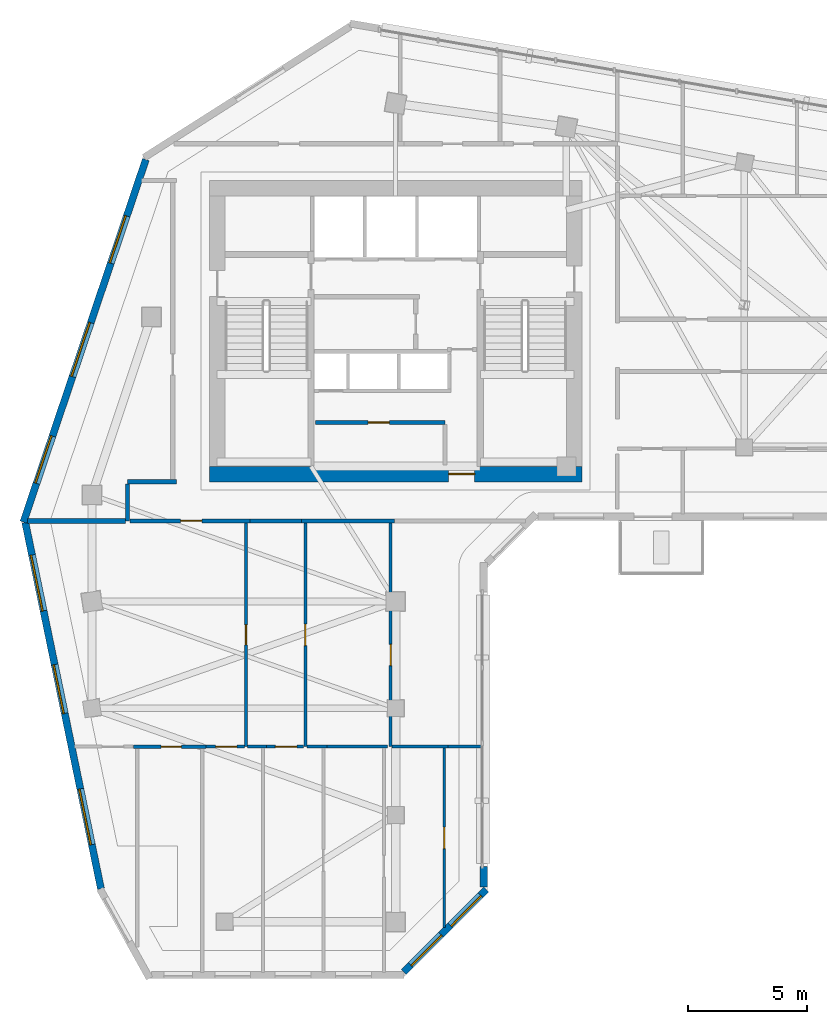
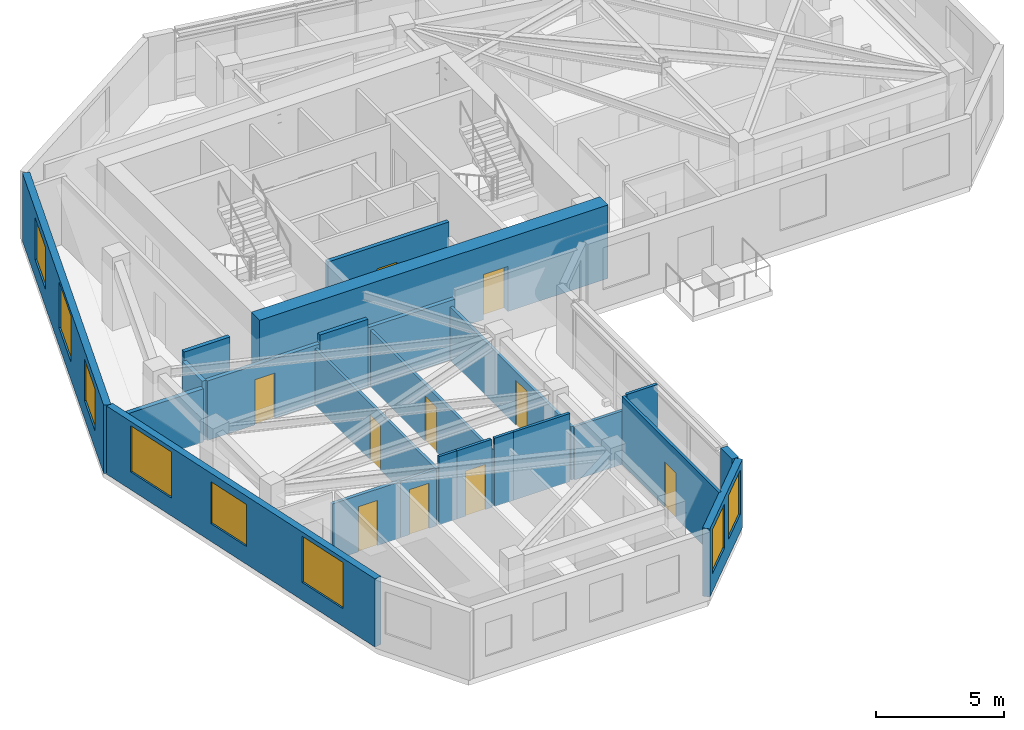
# One storey, part 5 of 11: 24 walls, 10 doors, 8 windows, 18 openings.
"""IFC4 building model written with IfcOpenShell, lengths in metres."""

from ifc_helpers import new_model, si_unit, direction, frame, frame_2d, origin, place, context, subcontext, project, spatial, rectangle, extrude, source, transform, mapped, material, layer, layer_set, type_object, element, fill, save


model = new_model("IFC4")

# Units and contexts
model_context = context("Model", 3, precision=1e-05, world=origin(), true_north=direction((0.0, 1.0)))
body_context = subcontext(model_context, "Body", "Model", "MODEL_VIEW")
ifc_project = project(units=[si_unit("LENGTHUNIT", "METRE"), si_unit("AREAUNIT", "SQUARE_METRE"), si_unit("VOLUMEUNIT", "CUBIC_METRE"), si_unit("PLANEANGLEUNIT", "RADIAN"), si_unit("MASSUNIT", "GRAM", prefix="KILO")], contexts=[model_context])

# Site, building, storey
site_placement = place(None, origin())
site = spatial("IfcSite", under=ifc_project, at=site_placement, CompositionType="ELEMENT")
building_placement = place(site_placement, origin())
building = spatial("IfcBuilding", under=site, at=building_placement, Name="Calvemar Wedge Station Tower", CompositionType="ELEMENT")
storey_placement = place(building_placement, frame((0.0, 0.0, 183.39990234375)))
storey = spatial("IfcBuildingStorey", under=building, at=storey_placement, Name="L45", CompositionType="ELEMENT", Elevation=183.39990234375)

# Wall, opening, door
ifc_material_1 = material(Name="Concrete C60", Category="concrete")
ifc_layer_1 = layer(ifc_material_1, 0.64990234375)
ifc_layer_set_1 = layer_set([ifc_layer_1], Name="Concrete C60")
wall_type_1 = type_object("IfcWallType", Name="SW-CORE-650", PredefinedType="SHEAR", material=ifc_layer_set_1)
wall_1_placement = place(storey_placement, frame((15.949951171875, 33.875, 0.0), z_axis=(0.0, 0.0, 1.0), x_axis=(1.0, 0.0, 0.0)))
wall_1 = element("IfcWall", 1, at=wall_1_placement, inside=storey, type_object=wall_type_1, Name="Storey L45 Core Shear Wall S", PredefinedType="SHEAR", context=body_context, shape_type="SweptSolid", body=[
    extrude(rectangle(XDim=15.699951171875, YDim=0.64990234375, at=frame_2d((7.85009765625, 0.0))), origin(), (0.0, 0.0, 1.0), 3.5),
])
shared_shape_1 = source(origin(), body_context, "Body", "SweptSolid", [
    extrude(rectangle(XDim=1.10009765625, YDim=2.14990234375, at=frame_2d((0.550048828125, 1.074951171875))), frame((0.0, 0.3349609375, 0.0), z_axis=(0.0, -1.0, 0.0), x_axis=(1.0, 0.0, 0.0)), (0.0, 0.0, 1.0), 0.669921875),
])
opening_1_placement = place(wall_1_placement, frame((10.080078125, 0.0, 0.0)))
opening_1 = element("IfcOpeningElement", 2, at=opening_1_placement, cuts=wall_1, Name="Opening FD-90", PredefinedType="OPENING", context=body_context, shape_type="MappedRepresentation", body=[
    mapped(shared_shape_1, transform((0.0, 0.0, 0.0), scale=1.0)),
])
ifc_material_2 = material(Name="Galvanized fire-rated steel door leaf P-90", Category="steel")
door_type_1 = type_object("IfcDoorType", Name="DR-FD90-1100", OperationType="NOTDEFINED", PredefinedType="DOOR", material=ifc_material_2)
shared_shape_2 = source(origin(), body_context, "Body", "SweptSolid", [
    extrude(rectangle(XDim=1.10009765625, YDim=2.14990234375, at=frame_2d((0.550048828125, 1.074951171875))), frame((0.0, 0.02490234375, 0.0), z_axis=(0.0, -1.0, 0.0), x_axis=(1.0, 0.0, 0.0)), (0.0, 0.0, 1.0), 0.050048828125),
])
door_1_placement = place(opening_1_placement, origin())
door_1 = element("IfcDoor", 3, at=door_1_placement, inside=storey, type_object=door_type_1, Name="L45 Passenger Lift Lobby Door", OperationType="SINGLE_SWING_LEFT", OverallHeight=2.14990234375, OverallWidth=1.10009765625, PredefinedType="DOOR", context=body_context, shape_type="MappedRepresentation", body=[
    mapped(shared_shape_2, transform((0.0, 0.0, 0.0), scale=1.0)),
])
fill(opening_1, door_1)

ifc_material_3 = material(Name="Double-stud fire-rated corridor partition")
ifc_layer_2 = layer(ifc_material_3, 0.179931640625)
ifc_layer_set_2 = layer_set([ifc_layer_2], Name="Double-stud fire-rated corridor partition")
wall_type_2 = type_object("IfcWallType", Name="W-CORR-180", PredefinedType="PARTITIONING", material=ifc_layer_set_2)
wall_2_placement = place(storey_placement, frame((20.419921875, 36.050048828125, 0.0), z_axis=(0.0, 0.0, 1.0), x_axis=(1.0, 0.0, 0.0)))
wall_2 = element("IfcWall", 4, at=wall_2_placement, inside=storey, type_object=wall_type_2, Name="Storey L45 Interior Partition WL-L45-004", PredefinedType="PARTITIONING", context=body_context, shape_type="SweptSolid", body=[
    extrude(rectangle(XDim=5.4599609375, YDim=0.179931640625, at=frame_2d((2.72998046875, 0.0))), origin(), (0.0, 0.0, 1.0), 3.25),
])
shared_shape_3 = source(origin(), body_context, "Body", "SweptSolid", [
    extrude(rectangle(XDim=0.89990234375, YDim=2.14990234375, at=frame_2d((0.449951171875, 1.074951171875))), frame((0.0, 0.10009765625, 0.0), z_axis=(0.0, -1.0, 0.0), x_axis=(1.0, 0.0, 0.0)), (0.0, 0.0, 1.0), 0.199951171875),
])
opening_2_placement = place(wall_2_placement, frame((2.219482421875, 0.0, 0.0)))
opening_2 = element("IfcOpeningElement", 5, at=opening_2_placement, cuts=wall_2, Name="Opening FD-60", PredefinedType="OPENING", context=body_context, shape_type="MappedRepresentation", body=[
    mapped(shared_shape_3, transform((0.0, 0.0, 0.0), scale=1.0)),
])
ifc_material_4 = material(Name="Fire-rated acoustic timber-core entrance door EI 60", Category="wood")
door_type_2 = type_object("IfcDoorType", Name="DR-FD60-900", OperationType="NOTDEFINED", PredefinedType="DOOR", material=ifc_material_4)
shared_shape_4 = source(origin(), body_context, "Body", "SweptSolid", [
    extrude(rectangle(XDim=0.89990234375, YDim=2.14990234375, at=frame_2d((0.449951171875, 1.074951171875))), frame((0.0, 0.02490234375, 0.0), z_axis=(0.0, -1.0, 0.0), x_axis=(1.0, 0.0, 0.0)), (0.0, 0.0, 1.0), 0.050048828125),
])
door_2_placement = place(opening_2_placement, origin())
door_2 = element("IfcDoor", 6, at=door_2_placement, inside=storey, type_object=door_type_2, Name="L45 Parcel and Resident Store Door", OperationType="SINGLE_SWING_RIGHT", OverallHeight=2.14990234375, OverallWidth=0.89990234375, PredefinedType="DOOR", context=body_context, shape_type="MappedRepresentation", body=[
    mapped(shared_shape_4, transform((0.0, 0.0, 0.0), scale=1.0)),
])
fill(opening_2, door_2)

# Walls
wall_3_placement = place(storey_placement, frame((12.5, 33.550048828125, 0.0), z_axis=(0.0, 0.0, 1.0), x_axis=(1.0, 0.0, 0.0)))
element("IfcWall", 7, at=wall_3_placement, inside=storey, type_object=wall_type_2, Name="Storey L45 Interior Partition WL-L45-006", PredefinedType="PARTITIONING", context=body_context, shape_type="SweptSolid", body=[
    extrude(rectangle(XDim=2.06005859375, YDim=0.179931640625, at=frame_2d((1.030029296875, 0.0))), origin(), (0.0, 0.0, 1.0), 3.25),
])
wall_4_placement = place(storey_placement, frame((12.5, 31.89990234375, 0.0), z_axis=(0.0, 0.0, 1.0), x_axis=(0.0, 1.0, 0.0)))
element("IfcWall", 8, at=wall_4_placement, inside=storey, type_object=wall_type_2, Name="Storey L45 Interior Partition WL-L45-007", PredefinedType="PARTITIONING", context=body_context, shape_type="SweptSolid", body=[
    extrude(rectangle(XDim=1.55615234375, YDim=0.179931640625, at=frame_2d((0.778076171875, 0.0))), origin(), (0.0, 0.0, 1.0), 2.835205078125),
])
wall_5_placement = place(storey_placement, frame((23.7509765625, 31.89990234375, 0.0), z_axis=(0.0, 0.0, 1.0), x_axis=(-1.0, 0.0, 0.0)))
element("IfcWall", 9, at=wall_5_placement, inside=storey, type_object=wall_type_2, Name="Storey L45 Interior Partition WL-L45-008", PredefinedType="PARTITIONING", context=body_context, shape_type="SweptSolid", body=[
    extrude(rectangle(XDim=3.919921875, YDim=0.179931640625, at=frame_2d((1.9599609375, 0.0))), origin(), (0.0, 0.0, 1.0), 2.835205078125),
])

# Wall, opening, door
wall_6_placement = place(storey_placement, frame((17.65087890625, 31.89990234375, 0.0), z_axis=(0.0, 0.0, 1.0), x_axis=(-1.0, 0.0, 0.0)))
wall_6 = element("IfcWall", 10, at=wall_6_placement, inside=storey, type_object=wall_type_2, Name="Storey L45 Interior Partition WL-L45-010", PredefinedType="PARTITIONING", context=body_context, shape_type="SweptSolid", body=[
    extrude(rectangle(XDim=5.056884765625, YDim=0.179931640625, at=frame_2d((2.5283203125, 0.0))), origin(), (0.0, 0.0, 1.0), 2.835205078125),
])
opening_3_placement = place(wall_6_placement, frame((2.0166015625, 0.0, 0.0)))
opening_3 = element("IfcOpeningElement", 11, at=opening_3_placement, cuts=wall_6, Name="Opening FD-60", PredefinedType="OPENING", context=body_context, shape_type="MappedRepresentation", body=[
    mapped(shared_shape_3, transform((0.0, 0.0, 0.0), scale=1.0)),
])
door_3_placement = place(opening_3_placement, origin())
door_3 = element("IfcDoor", 12, at=door_3_placement, inside=storey, type_object=door_type_2, Name="L45 Living Dining Door", OperationType="SINGLE_SWING_RIGHT", OverallHeight=2.14990234375, OverallWidth=0.89990234375, PredefinedType="DOOR", context=body_context, shape_type="MappedRepresentation", body=[
    mapped(shared_shape_4, transform((0.0, 0.0, 0.0), scale=1.0)),
])
fill(opening_3, door_3)

# Walls
wall_7_placement = place(storey_placement, frame((19.8291015625, 31.89990234375, 0.0), z_axis=(0.0, 0.0, 1.0), x_axis=(-1.0, 0.0, 0.0)))
element("IfcWall", 13, at=wall_7_placement, inside=storey, type_object=wall_type_2, Name="Storey L45 Interior Partition WL-L45-011", PredefinedType="PARTITIONING", context=body_context, shape_type="SweptSolid", body=[
    extrude(rectangle(XDim=2.176025390625, YDim=0.179931640625, at=frame_2d((1.087890625, 0.0))), origin(), (0.0, 0.0, 1.0), 3.25),
])
ifc_material_5 = material(Name="Twin-stud fire-rated inter-tenancy wall")
ifc_layer_3 = layer(ifc_material_5, 0.199951171875)
ifc_layer_set_3 = layer_set([ifc_layer_3], Name="Twin-stud fire-rated inter-tenancy wall")
wall_type_3 = type_object("IfcWallType", Name="W-DEMISE-200", PredefinedType="PARTITIONING", material=ifc_layer_set_3)
wall_8_placement = place(storey_placement, frame((12.406005859375, 31.89990234375, 0.0), z_axis=(0.0, 0.0, 1.0), x_axis=(-1.0, 0.0, 0.0)))
element("IfcWall", 14, at=wall_8_placement, inside=storey, type_object=wall_type_3, Name="Storey L45 Interior Partition WL-L45-021", PredefinedType="PARTITIONING", context=body_context, shape_type="SweptSolid", body=[
    extrude(rectangle(XDim=4.11474609375, YDim=0.199951171875, at=frame_2d((2.057373046875, 0.0))), origin(), (0.0, 0.0, 1.0), 2.5419921875),
])

# Wall, openings, windows
ifc_material_6 = material(Name="Precast concrete C45", Category="concrete")
ifc_layer_4 = layer(ifc_material_6, 0.300048828125)
ifc_layer_set_4 = layer_set([ifc_layer_4], Name="Precast concrete C45")
wall_type_4 = type_object("IfcWallType", Name="W-EXT-GFRC-300", PredefinedType="SOLIDWALL", material=ifc_layer_set_4)
wall_9_placement = place(storey_placement, frame((24.139892578125, 12.887939453125, 0.0), z_axis=(0.0, 0.0, 1.0), x_axis=(0.707106781187, 0.707106781187, 0.0)))
wall_9 = element("IfcWall", 15, at=wall_9_placement, inside=storey, type_object=wall_type_4, Name="Storey L45 Bronze GFRC Exterior Wall 3", PredefinedType="SOLIDWALL", context=body_context, shape_type="SweptSolid", body=[
    extrude(rectangle(XDim=4.921875, YDim=0.300048828125, at=frame_2d((2.4609375, 0.0))), origin(), (0.0, 0.0, 1.0), 3.25),
])
shared_shape_5 = source(origin(), body_context, "Body", "SweptSolid", [
    extrude(rectangle(XDim=1.800048828125, YDim=2.10009765625, at=frame_2d((0.89990234375, 1.050048828125))), frame((0.0, 0.16015625, 0.0), z_axis=(0.0, -1.0, 0.0), x_axis=(1.0, 0.0, 0.0)), (0.0, 0.0, 1.0), 0.320068359375),
])
opening_4_placement = place(wall_9_placement, frame((0.4169921875, 0.0, 0.85009765625)))
opening_4 = element("IfcOpeningElement", 16, at=opening_4_placement, cuts=wall_9, Name="Opening W2", PredefinedType="OPENING", context=body_context, shape_type="MappedRepresentation", body=[
    mapped(shared_shape_5, transform((0.0, 0.0, 0.0), scale=1.0)),
])
opening_5_placement = place(wall_9_placement, frame((2.778076171875, 0.0, 0.85009765625)))
opening_5 = element("IfcOpeningElement", 17, at=opening_5_placement, cuts=wall_9, Name="Opening W2", PredefinedType="OPENING", context=body_context, shape_type="MappedRepresentation", body=[
    mapped(shared_shape_5, transform((0.0, 0.0, 0.0), scale=1.0)),
])
ifc_material_7 = material(Name="Low-E laminated insulated glass", Category="glass")
window_type_1 = type_object("IfcWindowType", Name="WIN-EXT-2", PartitioningType="SINGLE_PANEL", PredefinedType="WINDOW", material=ifc_material_7)
shared_shape_6 = source(origin(), body_context, "Body", "SweptSolid", [
    extrude(rectangle(XDim=1.800048828125, YDim=2.10009765625, at=frame_2d((0.89990234375, 1.050048828125))), frame((0.0, -0.014892578125, 0.0), z_axis=(0.0, -1.0, 0.0), x_axis=(1.0, 0.0, 0.0)), (0.0, 0.0, 1.0), 0.06005859375),
])
window_1_placement = place(opening_4_placement, origin())
window_1 = element("IfcWindow", 18, at=window_1_placement, inside=storey, type_object=window_type_1, Name="Storey L45 Recessed Window 3.1", OverallHeight=2.10009765625, OverallWidth=1.800048828125, PartitioningType="SINGLE_PANEL", PredefinedType="WINDOW", context=body_context, shape_type="MappedRepresentation", body=[
    mapped(shared_shape_6, transform((0.0, 0.0, 0.0), scale=1.0)),
])
fill(opening_4, window_1)
window_2_placement = place(opening_5_placement, origin())
window_2 = element("IfcWindow", 19, at=window_2_placement, inside=storey, type_object=window_type_1, Name="Storey L45 Recessed Window 3.2", OverallHeight=2.10009765625, OverallWidth=1.800048828125, PartitioningType="SINGLE_PANEL", PredefinedType="WINDOW", context=body_context, shape_type="MappedRepresentation", body=[
    mapped(shared_shape_6, transform((0.0, 0.0, 0.0), scale=1.0)),
])
fill(opening_5, window_2)

# Wall
wall_10_placement = place(storey_placement, frame((27.513916015625, 16.457275390625, 0.0), z_axis=(0.0, 0.0, 1.0), x_axis=(0.0, 1.0, 0.0)))
element("IfcWall", 20, at=wall_10_placement, inside=storey, type_object=wall_type_4, Name="Storey L45 Bronze GFRC Corner Pier 4A", PredefinedType="SOLIDWALL", context=body_context, shape_type="SweptSolid", body=[
    extrude(rectangle(XDim=0.88232421875, YDim=0.300048828125, at=frame_2d((0.441162109375, 0.0))), origin(), (0.0, 0.0, 1.0), 3.25),
])

# Wall, openings, windows
wall_11_placement = place(storey_placement, frame((13.2685546875, 47.1337890625, 0.0), z_axis=(0.0, 0.0, 1.0), x_axis=(-0.319920776449, -0.947444297464, 0.0)))
wall_11 = element("IfcWall", 21, at=wall_11_placement, inside=storey, type_object=wall_type_4, Name="Storey L45 Bronze GFRC Exterior Wall 12", PredefinedType="SOLIDWALL", context=body_context, shape_type="SweptSolid", body=[
    extrude(rectangle(XDim=16.13330078125, YDim=0.300048828125, at=frame_2d((8.066650390625, 0.0))), origin(), (0.0, 0.0, 1.0), 3.25),
])
shared_shape_7 = source(origin(), body_context, "Body", "SweptSolid", [
    extrude(rectangle(XDim=2.10009765625, YDim=2.0, at=frame_2d((1.050048828125, 1.0))), frame((0.0, 0.16015625, 0.0), z_axis=(0.0, -1.0, 0.0), x_axis=(1.0, 0.0, 0.0)), (0.0, 0.0, 1.0), 0.320068359375),
])
opening_6_placement = place(wall_11_placement, frame((2.512939453125, 0.0, 0.85009765625)))
opening_6 = element("IfcOpeningElement", 22, at=opening_6_placement, cuts=wall_11, Name="Opening W4", PredefinedType="OPENING", context=body_context, shape_type="MappedRepresentation", body=[
    mapped(shared_shape_7, transform((0.0, 0.0, 0.0), scale=1.0)),
])
shared_shape_8 = source(origin(), body_context, "Body", "SweptSolid", [
    extrude(rectangle(XDim=2.39990234375, YDim=2.199951171875, at=frame_2d((1.199951171875, 1.10009765625))), frame((0.0, 0.16015625, 0.0), z_axis=(0.0, -1.0, 0.0), x_axis=(1.0, 0.0, 0.0)), (0.0, 0.0, 1.0), 0.320068359375),
])
opening_7_placement = place(wall_11_placement, frame((7.260009765625, 0.0, 0.85009765625)))
opening_7 = element("IfcOpeningElement", 23, at=opening_7_placement, cuts=wall_11, Name="Opening W1", PredefinedType="OPENING", context=body_context, shape_type="MappedRepresentation", body=[
    mapped(shared_shape_8, transform((0.0, 0.0, 0.0), scale=1.0)),
])
opening_8_placement = place(wall_11_placement, frame((12.306884765625, 0.0, 0.85009765625)))
opening_8 = element("IfcOpeningElement", 24, at=opening_8_placement, cuts=wall_11, Name="Opening W4", PredefinedType="OPENING", context=body_context, shape_type="MappedRepresentation", body=[
    mapped(shared_shape_7, transform((0.0, 0.0, 0.0), scale=1.0)),
])
window_type_2 = type_object("IfcWindowType", Name="WIN-EXT-4", PartitioningType="SINGLE_PANEL", PredefinedType="WINDOW", material=ifc_material_7)
shared_shape_9 = source(origin(), body_context, "Body", "SweptSolid", [
    extrude(rectangle(XDim=2.10009765625, YDim=2.0, at=frame_2d((1.050048828125, 1.0))), frame((0.0, -0.014892578125, 0.0), z_axis=(0.0, -1.0, 0.0), x_axis=(1.0, 0.0, 0.0)), (0.0, 0.0, 1.0), 0.06005859375),
])
window_3_placement = place(opening_6_placement, origin())
window_3 = element("IfcWindow", 25, at=window_3_placement, inside=storey, type_object=window_type_2, Name="Storey L45 Recessed Window 12.1", OverallHeight=2.0, OverallWidth=2.10009765625, PartitioningType="SINGLE_PANEL", PredefinedType="WINDOW", context=body_context, shape_type="MappedRepresentation", body=[
    mapped(shared_shape_9, transform((0.0, 0.0, 0.0), scale=1.0)),
])
fill(opening_6, window_3)
window_4_placement = place(opening_8_placement, origin())
window_4 = element("IfcWindow", 26, at=window_4_placement, inside=storey, type_object=window_type_2, Name="Storey L45 Recessed Window 12.3", OverallHeight=2.0, OverallWidth=2.10009765625, PartitioningType="SINGLE_PANEL", PredefinedType="WINDOW", context=body_context, shape_type="MappedRepresentation", body=[
    mapped(shared_shape_9, transform((0.0, 0.0, 0.0), scale=1.0)),
])
fill(opening_8, window_4)
window_type_3 = type_object("IfcWindowType", Name="WIN-EXT-1", PartitioningType="SINGLE_PANEL", PredefinedType="WINDOW", material=ifc_material_7)
shared_shape_10 = source(origin(), body_context, "Body", "SweptSolid", [
    extrude(rectangle(XDim=2.39990234375, YDim=2.199951171875, at=frame_2d((1.199951171875, 1.10009765625))), frame((0.0, -0.014892578125, 0.0), z_axis=(0.0, -1.0, 0.0), x_axis=(1.0, 0.0, 0.0)), (0.0, 0.0, 1.0), 0.06005859375),
])
window_5_placement = place(opening_7_placement, origin())
window_5 = element("IfcWindow", 27, at=window_5_placement, inside=storey, type_object=window_type_3, Name="Storey L45 Recessed Window 12.2", OverallHeight=2.199951171875, OverallWidth=2.39990234375, PartitioningType="SINGLE_PANEL", PredefinedType="WINDOW", context=body_context, shape_type="MappedRepresentation", body=[
    mapped(shared_shape_10, transform((0.0, 0.0, 0.0), scale=1.0)),
])
fill(opening_7, window_5)

wall_12_placement = place(storey_placement, frame((8.1875, 31.833984375, 0.0), z_axis=(0.0, 0.0, 1.0), x_axis=(0.202303475707, -0.979322880217, 0.0)))
wall_12 = element("IfcWall", 28, at=wall_12_placement, inside=storey, type_object=wall_type_4, Name="Storey L45 Bronze GFRC Exterior Wall 13", PredefinedType="SOLIDWALL", context=body_context, shape_type="SweptSolid", body=[
    extrude(rectangle(XDim=15.765625, YDim=0.300048828125, at=frame_2d((7.8828125, 0.0))), origin(), (0.0, 0.0, 1.0), 3.25),
])
opening_9_placement = place(wall_12_placement, frame((1.404052734375, 0.0, 0.85009765625)))
opening_9 = element("IfcOpeningElement", 29, at=opening_9_placement, cuts=wall_12, Name="Opening W1", PredefinedType="OPENING", context=body_context, shape_type="MappedRepresentation", body=[
    mapped(shared_shape_8, transform((0.0, 0.0, 0.0), scale=1.0)),
])
opening_10_placement = place(wall_12_placement, frame((6.12109375, 0.0, 0.85009765625)))
opening_10 = element("IfcOpeningElement", 30, at=opening_10_placement, cuts=wall_12, Name="Opening W4", PredefinedType="OPENING", context=body_context, shape_type="MappedRepresentation", body=[
    mapped(shared_shape_7, transform((0.0, 0.0, 0.0), scale=1.0)),
])
opening_11_placement = place(wall_12_placement, frame((11.469970703125, 0.0, 0.85009765625)))
opening_11 = element("IfcOpeningElement", 31, at=opening_11_placement, cuts=wall_12, Name="Opening W1", PredefinedType="OPENING", context=body_context, shape_type="MappedRepresentation", body=[
    mapped(shared_shape_8, transform((0.0, 0.0, 0.0), scale=1.0)),
])
window_6_placement = place(opening_10_placement, origin())
window_6 = element("IfcWindow", 32, at=window_6_placement, inside=storey, type_object=window_type_2, Name="Storey L45 Recessed Window 13.2", OverallHeight=2.0, OverallWidth=2.10009765625, PartitioningType="SINGLE_PANEL", PredefinedType="WINDOW", context=body_context, shape_type="MappedRepresentation", body=[
    mapped(shared_shape_9, transform((0.0, 0.0, 0.0), scale=1.0)),
])
fill(opening_10, window_6)
window_7_placement = place(opening_9_placement, origin())
window_7 = element("IfcWindow", 33, at=window_7_placement, inside=storey, type_object=window_type_3, Name="Storey L45 Recessed Window 13.1", OverallHeight=2.199951171875, OverallWidth=2.39990234375, PartitioningType="SINGLE_PANEL", PredefinedType="WINDOW", context=body_context, shape_type="MappedRepresentation", body=[
    mapped(shared_shape_10, transform((0.0, 0.0, 0.0), scale=1.0)),
])
fill(opening_9, window_7)
window_8_placement = place(opening_11_placement, origin())
window_8 = element("IfcWindow", 34, at=window_8_placement, inside=storey, type_object=window_type_3, Name="Storey L45 Recessed Window 13.3", OverallHeight=2.199951171875, OverallWidth=2.39990234375, PartitioningType="SINGLE_PANEL", PredefinedType="WINDOW", context=body_context, shape_type="MappedRepresentation", body=[
    mapped(shared_shape_10, transform((0.0, 0.0, 0.0), scale=1.0)),
])
fill(opening_11, window_8)

# Wall, opening, door
ifc_material_8 = material(Name="Insulated acoustic gypsum stud partition")
ifc_layer_5 = layer(ifc_material_8, 0.125)
ifc_layer_set_5 = layer_set([ifc_layer_5], Name="Insulated acoustic gypsum stud partition")
wall_type_5 = type_object("IfcWallType", Name="W-PART-125", PredefinedType="PARTITIONING", material=ifc_layer_set_5)
wall_13_placement = place(storey_placement, frame((23.591064453125, 31.805908203125, 0.0), z_axis=(0.0, 0.0, 1.0), x_axis=(0.0, -1.0, 0.0)))
wall_13 = element("IfcWall", 35, at=wall_13_placement, inside=storey, type_object=wall_type_5, Name="Storey L45 Interior Partition WL-L45-050", PredefinedType="PARTITIONING", context=body_context, shape_type="SweptSolid", body=[
    extrude(rectangle(XDim=9.4228515625, YDim=0.125, at=frame_2d((4.71142578125, 0.0))), origin(), (0.0, 0.0, 1.0), 2.5419921875),
])
shared_shape_11 = source(origin(), body_context, "Body", "SweptSolid", [
    extrude(rectangle(XDim=0.89990234375, YDim=2.14990234375, at=frame_2d((0.449951171875, 1.074951171875))), frame((0.0, 0.072509765625, 0.0), z_axis=(0.0, -1.0, 0.0), x_axis=(1.0, 0.0, 0.0)), (0.0, 0.0, 1.0), 0.14501953125),
])
opening_12_placement = place(wall_13_placement, frame((5.106201171875, 0.0, 0.0)))
opening_12 = element("IfcOpeningElement", 36, at=opening_12_placement, cuts=wall_13, Name="Opening D-01", PredefinedType="OPENING", context=body_context, shape_type="MappedRepresentation", body=[
    mapped(shared_shape_11, transform((0.0, 0.0, 0.0), scale=1.0)),
])
ifc_material_9 = material(Name="Architectural hardwood acoustic swing door", Category="wood")
door_type_3 = type_object("IfcDoorType", Name="DR-INT-900", OperationType="NOTDEFINED", PredefinedType="DOOR", material=ifc_material_9)
shared_shape_12 = source(origin(), body_context, "Body", "SweptSolid", [
    extrude(rectangle(XDim=0.89990234375, YDim=2.14990234375, at=frame_2d((0.449951171875, 1.074951171875))), frame((0.0, 0.02490234375, 0.0), z_axis=(0.0, -1.0, 0.0), x_axis=(1.0, 0.0, 0.0)), (0.0, 0.0, 1.0), 0.050048828125),
])
door_4_placement = place(opening_12_placement, origin())
door_4 = element("IfcDoor", 37, at=door_4_placement, inside=storey, type_object=door_type_3, Name="L45 Bedroom Door", OperationType="SINGLE_SWING_LEFT", OverallHeight=2.14990234375, OverallWidth=0.89990234375, PredefinedType="DOOR", context=body_context, shape_type="MappedRepresentation", body=[
    mapped(shared_shape_12, transform((0.0, 0.0, 0.0), scale=1.0)),
])
fill(opening_12, door_4)

wall_14_placement = place(storey_placement, frame((19.990966796875, 22.383056640625, 0.0), z_axis=(0.0, 0.0, 1.0), x_axis=(0.0, 1.0, 0.0)))
wall_14 = element("IfcWall", 38, at=wall_14_placement, inside=storey, type_object=wall_type_5, Name="Storey L45 Interior Partition WL-L45-051", PredefinedType="PARTITIONING", context=body_context, shape_type="SweptSolid", body=[
    extrude(rectangle(XDim=9.4228515625, YDim=0.125, at=frame_2d((4.71142578125, 0.0))), origin(), (0.0, 0.0, 1.0), 2.68798828125),
])
opening_13_placement = place(wall_14_placement, frame((4.261474609375, 0.0, 0.0)))
opening_13 = element("IfcOpeningElement", 39, at=opening_13_placement, cuts=wall_14, Name="Opening D-01", PredefinedType="OPENING", context=body_context, shape_type="MappedRepresentation", body=[
    mapped(shared_shape_11, transform((0.0, 0.0, 0.0), scale=1.0)),
])
door_5_placement = place(opening_13_placement, origin())
door_5 = element("IfcDoor", 40, at=door_5_placement, inside=storey, type_object=door_type_3, Name="L45 Study Door", OperationType="SINGLE_SWING_RIGHT", OverallHeight=2.14990234375, OverallWidth=0.89990234375, PredefinedType="DOOR", context=body_context, shape_type="MappedRepresentation", body=[
    mapped(shared_shape_12, transform((0.0, 0.0, 0.0), scale=1.0)),
])
fill(opening_13, door_5)

# Walls
wall_15_placement = place(storey_placement, frame((20.909912109375, 22.383056640625, 0.0), z_axis=(0.0, 0.0, 1.0), x_axis=(-1.0, 0.0, 0.0)))
element("IfcWall", 41, at=wall_15_placement, inside=storey, type_object=wall_type_5, Name="Storey L45 Interior Partition WL-L45-052", PredefinedType="PARTITIONING", context=body_context, shape_type="SweptSolid", body=[
    extrude(rectangle(XDim=0.852294921875, YDim=0.125, at=frame_2d((0.42626953125, 0.0))), origin(), (0.0, 0.0, 1.0), 3.25),
])
wall_16_placement = place(storey_placement, frame((23.4599609375, 22.383056640625, 0.0), z_axis=(0.0, 0.0, 1.0), x_axis=(-1.0, 0.0, 0.0)))
element("IfcWall", 42, at=wall_16_placement, inside=storey, type_object=wall_type_5, Name="Storey L45 Interior Partition WL-L45-053", PredefinedType="PARTITIONING", context=body_context, shape_type="SweptSolid", body=[
    extrude(rectangle(XDim=2.5478515625, YDim=0.125, at=frame_2d((1.27392578125, 0.0))), origin(), (0.0, 0.0, 1.0), 3.25),
])
wall_17_placement = place(storey_placement, frame((26.010009765625, 22.383056640625, 0.0), z_axis=(0.0, 0.0, 1.0), x_axis=(-1.0, 0.0, 0.0)))
element("IfcWall", 43, at=wall_17_placement, inside=storey, type_object=wall_type_5, Name="Storey L45 Interior Partition WL-L45-054", PredefinedType="PARTITIONING", context=body_context, shape_type="SweptSolid", body=[
    extrude(rectangle(XDim=2.3525390625, YDim=0.125, at=frame_2d((1.17626953125, 0.0))), origin(), (0.0, 0.0, 1.0), 2.5419921875),
])
wall_18_placement = place(storey_placement, frame((27.39892578125, 22.383056640625, 0.0), z_axis=(0.0, 0.0, 1.0), x_axis=(-1.0, 0.0, 0.0)))
element("IfcWall", 44, at=wall_18_placement, inside=storey, type_object=wall_type_5, Name="Storey L45 Interior Partition WL-L45-055", PredefinedType="PARTITIONING", context=body_context, shape_type="SweptSolid", body=[
    extrude(rectangle(XDim=1.386962890625, YDim=0.125, at=frame_2d((0.693359375, 0.0))), origin(), (0.0, 0.0, 1.0), 3.25),
])

# Wall, opening, door
wall_19_placement = place(storey_placement, frame((17.490966796875, 31.805908203125, 0.0), z_axis=(0.0, 0.0, 1.0), x_axis=(0.0, -1.0, 0.0)))
wall_19 = element("IfcWall", 45, at=wall_19_placement, inside=storey, type_object=wall_type_5, Name="Storey L45 Interior Partition WL-L45-056", PredefinedType="PARTITIONING", context=body_context, shape_type="SweptSolid", body=[
    extrude(rectangle(XDim=9.4228515625, YDim=0.125, at=frame_2d((4.71142578125, 0.0))), origin(), (0.0, 0.0, 1.0), 2.68798828125),
])
shared_shape_13 = source(origin(), body_context, "Body", "SweptSolid", [
    extrude(rectangle(XDim=0.85009765625, YDim=2.14990234375, at=frame_2d((0.425048828125, 1.074951171875))), frame((0.0, 0.072509765625, 0.0), z_axis=(0.0, -1.0, 0.0), x_axis=(1.0, 0.0, 0.0)), (0.0, 0.0, 1.0), 0.14501953125),
])
opening_14_placement = place(wall_19_placement, frame((4.28662109375, 0.0, 0.0)))
opening_14 = element("IfcOpeningElement", 46, at=opening_14_placement, cuts=wall_19, Name="Opening D-02", PredefinedType="OPENING", context=body_context, shape_type="MappedRepresentation", body=[
    mapped(shared_shape_13, transform((0.0, 0.0, 0.0), scale=1.0)),
])
ifc_material_10 = material(Name="Moisture-sealed bathroom hardwood swing door", Category="wood")
door_type_4 = type_object("IfcDoorType", Name="DR-WET-850", OperationType="NOTDEFINED", PredefinedType="DOOR", material=ifc_material_10)
shared_shape_14 = source(origin(), body_context, "Body", "SweptSolid", [
    extrude(rectangle(XDim=0.85009765625, YDim=2.14990234375, at=frame_2d((0.425048828125, 1.074951171875))), frame((0.0, 0.02490234375, 0.0), z_axis=(0.0, -1.0, 0.0), x_axis=(1.0, 0.0, 0.0)), (0.0, 0.0, 1.0), 0.050048828125),
])
door_6_placement = place(opening_14_placement, origin())
door_6 = element("IfcDoor", 47, at=door_6_placement, inside=storey, type_object=door_type_4, Name="L45 Kitchen Door", OperationType="SINGLE_SWING_LEFT", OverallHeight=2.14990234375, OverallWidth=0.85009765625, PredefinedType="DOOR", context=body_context, shape_type="MappedRepresentation", body=[
    mapped(shared_shape_14, transform((0.0, 0.0, 0.0), scale=1.0)),
])
fill(opening_14, door_6)

wall_20_placement = place(storey_placement, frame((17.424560546875, 22.383056640625, 0.0), z_axis=(0.0, 0.0, 1.0), x_axis=(-1.0, 0.0, 0.0)))
wall_20 = element("IfcWall", 48, at=wall_20_placement, inside=storey, type_object=wall_type_5, Name="Storey L45 Interior Partition WL-L45-059", PredefinedType="PARTITIONING", context=body_context, shape_type="SweptSolid", body=[
    extrude(rectangle(XDim=1.612548828125, YDim=0.125, at=frame_2d((0.80615234375, 0.0))), origin(), (0.0, 0.0, 1.0), 2.68798828125),
])
opening_15_placement = place(wall_20_placement, frame((0.318115234375, 0.0, 0.0)))
opening_15 = element("IfcOpeningElement", 49, at=opening_15_placement, cuts=wall_20, Name="Opening D-01", PredefinedType="OPENING", context=body_context, shape_type="MappedRepresentation", body=[
    mapped(shared_shape_11, transform((0.0, 0.0, 0.0), scale=1.0)),
])
door_7_placement = place(opening_15_placement, origin())
door_7 = element("IfcDoor", 50, at=door_7_placement, inside=storey, type_object=door_type_3, Name="L45 Master Bedroom Door", OperationType="SINGLE_SWING_RIGHT", OverallHeight=2.14990234375, OverallWidth=0.89990234375, PredefinedType="DOOR", context=body_context, shape_type="MappedRepresentation", body=[
    mapped(shared_shape_12, transform((0.0, 0.0, 0.0), scale=1.0)),
])
fill(opening_15, door_7)

# Wall
wall_21_placement = place(storey_placement, frame((18.360107421875, 22.383056640625, 0.0), z_axis=(0.0, 0.0, 1.0), x_axis=(-1.0, 0.0, 0.0)))
element("IfcWall", 51, at=wall_21_placement, inside=storey, type_object=wall_type_5, Name="Storey L45 Interior Partition WL-L45-060", PredefinedType="PARTITIONING", context=body_context, shape_type="SweptSolid", body=[
    extrude(rectangle(XDim=0.802490234375, YDim=0.125, at=frame_2d((0.4013671875, 0.0))), origin(), (0.0, 0.0, 1.0), 3.25),
])

# Wall, opening, door
wall_22_placement = place(storey_placement, frame((19.924560546875, 22.383056640625, 0.0), z_axis=(0.0, 0.0, 1.0), x_axis=(-1.0, 0.0, 0.0)))
wall_22 = element("IfcWall", 52, at=wall_22_placement, inside=storey, type_object=wall_type_5, Name="Storey L45 Interior Partition WL-L45-061", PredefinedType="PARTITIONING", context=body_context, shape_type="SweptSolid", body=[
    extrude(rectangle(XDim=1.5625, YDim=0.125, at=frame_2d((0.78125, 0.0))), origin(), (0.0, 0.0, 1.0), 3.25),
])
opening_16_placement = place(wall_22_placement, frame((0.292724609375, 0.0, 0.0)))
opening_16 = element("IfcOpeningElement", 53, at=opening_16_placement, cuts=wall_22, Name="Opening D-01", PredefinedType="OPENING", context=body_context, shape_type="MappedRepresentation", body=[
    mapped(shared_shape_11, transform((0.0, 0.0, 0.0), scale=1.0)),
])
door_8_placement = place(opening_16_placement, origin())
door_8 = element("IfcDoor", 54, at=door_8_placement, inside=storey, type_object=door_type_3, Name="L45 Bedroom Door", OperationType="SINGLE_SWING_LEFT", OverallHeight=2.14990234375, OverallWidth=0.89990234375, PredefinedType="DOOR", context=body_context, shape_type="MappedRepresentation", body=[
    mapped(shared_shape_12, transform((0.0, 0.0, 0.0), scale=1.0)),
])
fill(opening_16, door_8)

wall_23_placement = place(storey_placement, frame((25.85009765625, 22.31640625, 0.0), z_axis=(0.0, 0.0, 1.0), x_axis=(0.0, -1.0, 0.0)))
wall_23 = element("IfcWall", 55, at=wall_23_placement, inside=storey, type_object=wall_type_5, Name="Storey L45 Interior Partition WL-L45-067", PredefinedType="PARTITIONING", context=body_context, shape_type="SweptSolid", body=[
    extrude(rectangle(XDim=7.5556640625, YDim=0.125, at=frame_2d((3.77783203125, 0.0))), origin(), (0.0, 0.0, 1.0), 3.25),
])
opening_17_placement = place(wall_23_placement, frame((3.327880859375, 0.0, 0.0)))
opening_17 = element("IfcOpeningElement", 56, at=opening_17_placement, cuts=wall_23, Name="Opening D-01", PredefinedType="OPENING", context=body_context, shape_type="MappedRepresentation", body=[
    mapped(shared_shape_11, transform((0.0, 0.0, 0.0), scale=1.0)),
])
door_9_placement = place(opening_17_placement, origin())
door_9 = element("IfcDoor", 57, at=door_9_placement, inside=storey, type_object=door_type_3, Name="L45 Study Door", OperationType="SINGLE_SWING_RIGHT", OverallHeight=2.14990234375, OverallWidth=0.89990234375, PredefinedType="DOOR", context=body_context, shape_type="MappedRepresentation", body=[
    mapped(shared_shape_12, transform((0.0, 0.0, 0.0), scale=1.0)),
])
fill(opening_17, door_9)

ifc_material_11 = material(Name="Moisture-resistant acoustic bathroom partition")
ifc_layer_6 = layer(ifc_material_11, 0.14990234375)
ifc_layer_set_6 = layer_set([ifc_layer_6], Name="Moisture-resistant acoustic bathroom partition")
wall_type_6 = type_object("IfcWallType", Name="W-WET-150", PredefinedType="PARTITIONING", material=ifc_layer_set_6)
wall_24_placement = place(storey_placement, frame((15.81005859375, 22.383056640625, 0.0), z_axis=(0.0, 0.0, 1.0), x_axis=(-1.0, 0.0, 0.0)))
wall_24 = element("IfcWall", 58, at=wall_24_placement, inside=storey, type_object=wall_type_6, Name="Storey L45 Interior Partition WL-L45-057", PredefinedType="PARTITIONING", context=body_context, shape_type="SweptSolid", body=[
    extrude(rectangle(XDim=3.070068359375, YDim=0.14990234375, at=frame_2d((1.53515625, 0.0))), origin(), (0.0, 0.0, 1.0), 2.68798828125),
])
shared_shape_15 = source(origin(), body_context, "Body", "SweptSolid", [
    extrude(rectangle(XDim=0.85009765625, YDim=2.14990234375, at=frame_2d((0.425048828125, 1.074951171875))), frame((0.0, 0.0849609375, 0.0), z_axis=(0.0, -1.0, 0.0), x_axis=(1.0, 0.0, 0.0)), (0.0, 0.0, 1.0), 0.169921875),
])
opening_18_placement = place(wall_24_placement, frame((1.046142578125, 0.0, 0.0)))
opening_18 = element("IfcOpeningElement", 59, at=opening_18_placement, cuts=wall_24, Name="Opening D-02", PredefinedType="OPENING", context=body_context, shape_type="MappedRepresentation", body=[
    mapped(shared_shape_15, transform((0.0, 0.0, 0.0), scale=1.0)),
])
door_10_placement = place(opening_18_placement, origin())
door_10 = element("IfcDoor", 60, at=door_10_placement, inside=storey, type_object=door_type_4, Name="L45 Bathroom Door", OperationType="SINGLE_SWING_RIGHT", OverallHeight=2.14990234375, OverallWidth=0.85009765625, PredefinedType="DOOR", context=body_context, shape_type="MappedRepresentation", body=[
    mapped(shared_shape_14, transform((0.0, 0.0, 0.0), scale=1.0)),
])
fill(opening_18, door_10)

save(model, "model.ifc")
